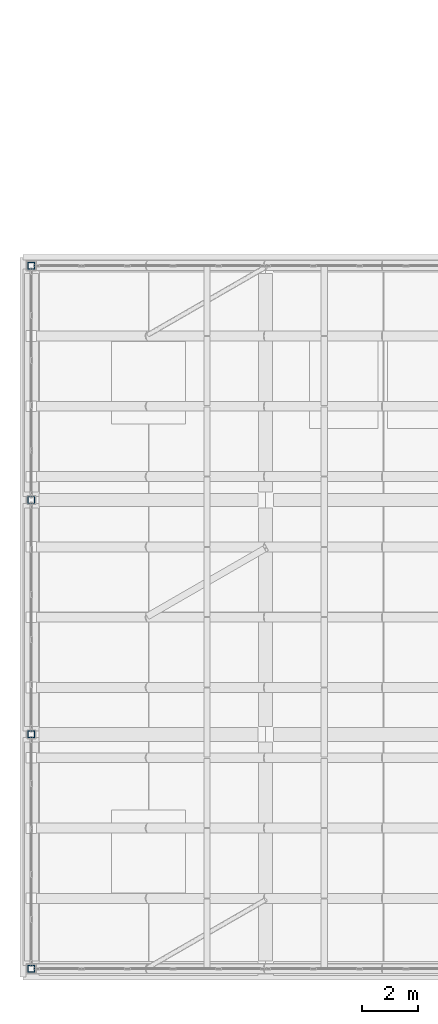
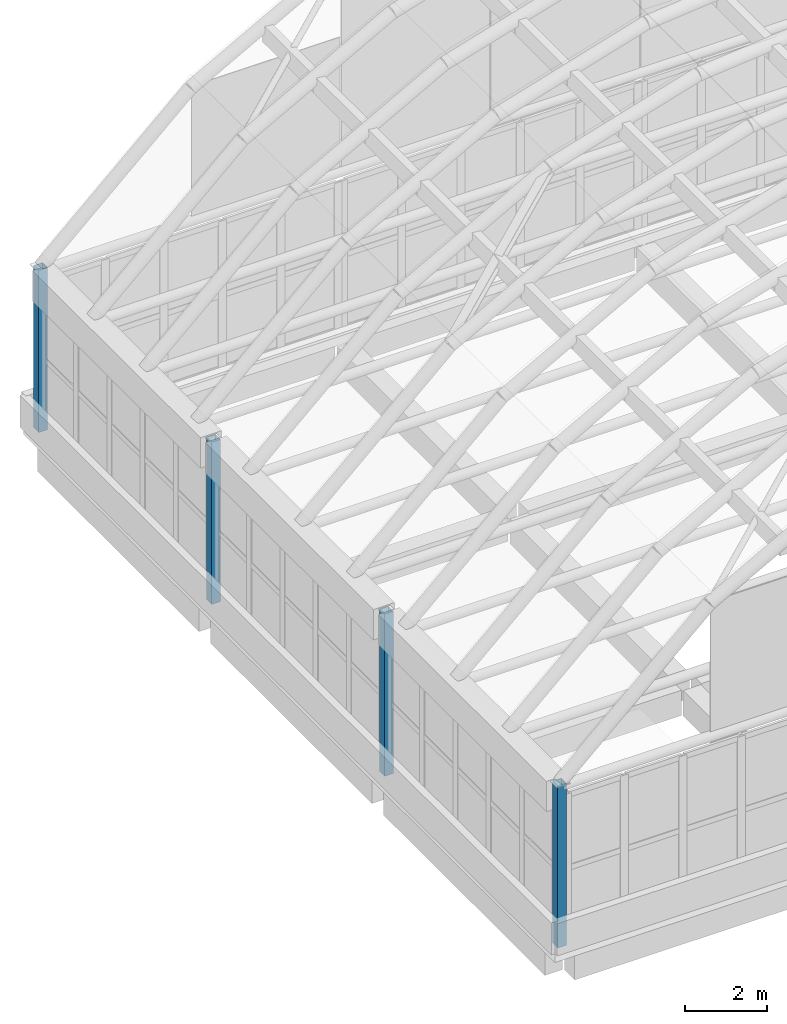
# One storey, part 1 of 26: 4 columns.
"""IFC4 building model written with IfcOpenShell, lengths in metres."""

from ifc_helpers import new_model, si_unit, direction, frame, origin, origin_2d, place, context, subcontext, project, spatial, hollow_rectangle, extrude, material, material_profile, profile_set, type_object, element, save


model = new_model("IFC4")

# Units and contexts
model_context = context("Model", 3, precision=1e-05, world=origin(), true_north=direction((0.0, 1.0)))
body_context = subcontext(model_context, "Body", "Model", "MODEL_VIEW")
ifc_project = project(units=[si_unit("LENGTHUNIT", "METRE"), si_unit("AREAUNIT", "SQUARE_METRE"), si_unit("VOLUMEUNIT", "CUBIC_METRE"), si_unit("PLANEANGLEUNIT", "RADIAN"), si_unit("MASSUNIT", "GRAM", prefix="KILO")], contexts=[model_context])

# Site, building, storey
site_placement = place(None, origin())
site = spatial("IfcSite", under=ifc_project, at=site_placement, CompositionType="ELEMENT")
building_placement = place(site_placement, origin())
building = spatial("IfcBuilding", under=site, at=building_placement, Name="Xazarin Passage Department Store", CompositionType="ELEMENT")
storey_placement = place(building_placement, frame((0.0, 0.0, 36.89990234375)))
storey = spatial("IfcBuildingStorey", under=building, at=storey_placement, Name="RF", CompositionType="ELEMENT", Elevation=36.89990234375)

# Columns
ifc_material = material(Name="Steel S355", Category="steel")
ifc_material_profile = material_profile(ifc_material, hollow_rectangle(XDim=0.25, YDim=0.25, WallThickness=0.012451171875, at=origin_2d()), Name="SHS 250x250x12.5")
ifc_profile_set = profile_set([ifc_material_profile], Name="Steel S355")
column_type = type_object("IfcColumnType", Name="STR-COL-DRM250", PredefinedType="COLUMN", material=ifc_profile_set)
for number, where, z_axis, x_axis, name in (
    (1, (0.0, 76.39990234375, 0.0), (0.0, 0.0, 1.0), (1.0, 0.0, 0.0), "V1V Gridshell Drum Column W-1"),
    (2, (0.0, 84.800048828125, 0.0), (0.0, 0.0, 1.0), (1.0, 0.0, 0.0), "V1V Gridshell Drum Column W-2"),
    (3, (0.0, 93.199951171875, 0.0), (0.0, 0.0, 1.0), (1.0, 0.0, 0.0), "V1V Gridshell Drum Column W-3"),
    (4, (0.0, 101.60009765625, 0.0), (0.0, 0.0, 1.0), (1.0, 0.0, 0.0), "V1V Gridshell Drum Column W-4"),
):
    element("IfcColumn", number, at=place(storey_placement, frame(where, z_axis=z_axis, x_axis=x_axis)), inside=storey, type_object=column_type, Name=name, PredefinedType="COLUMN", context=body_context, shape_type="SweptSolid", body=[
        extrude(hollow_rectangle(XDim=0.25, YDim=0.25, WallThickness=0.012451171875, at=origin_2d()), origin(), (0.0, 0.0, 1.0), 4.80419921875),
    ])

save(model, "model.ifc")
